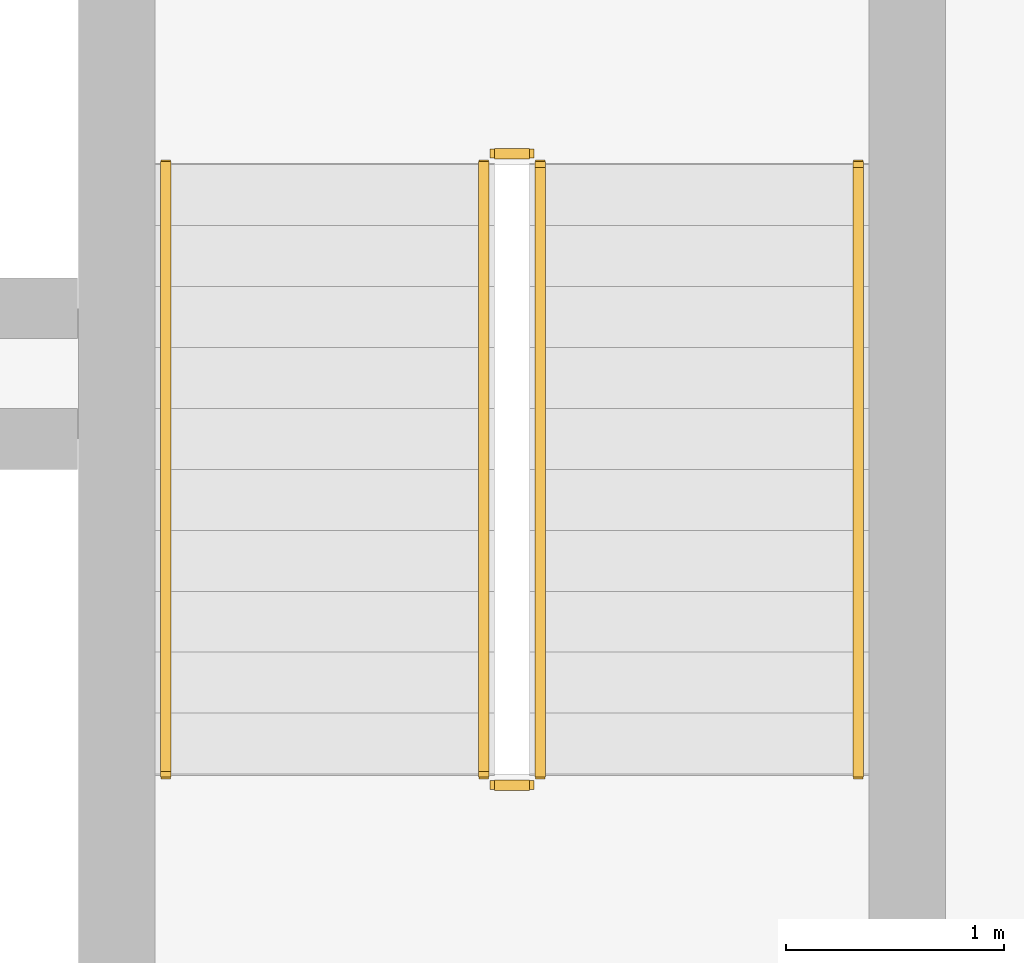
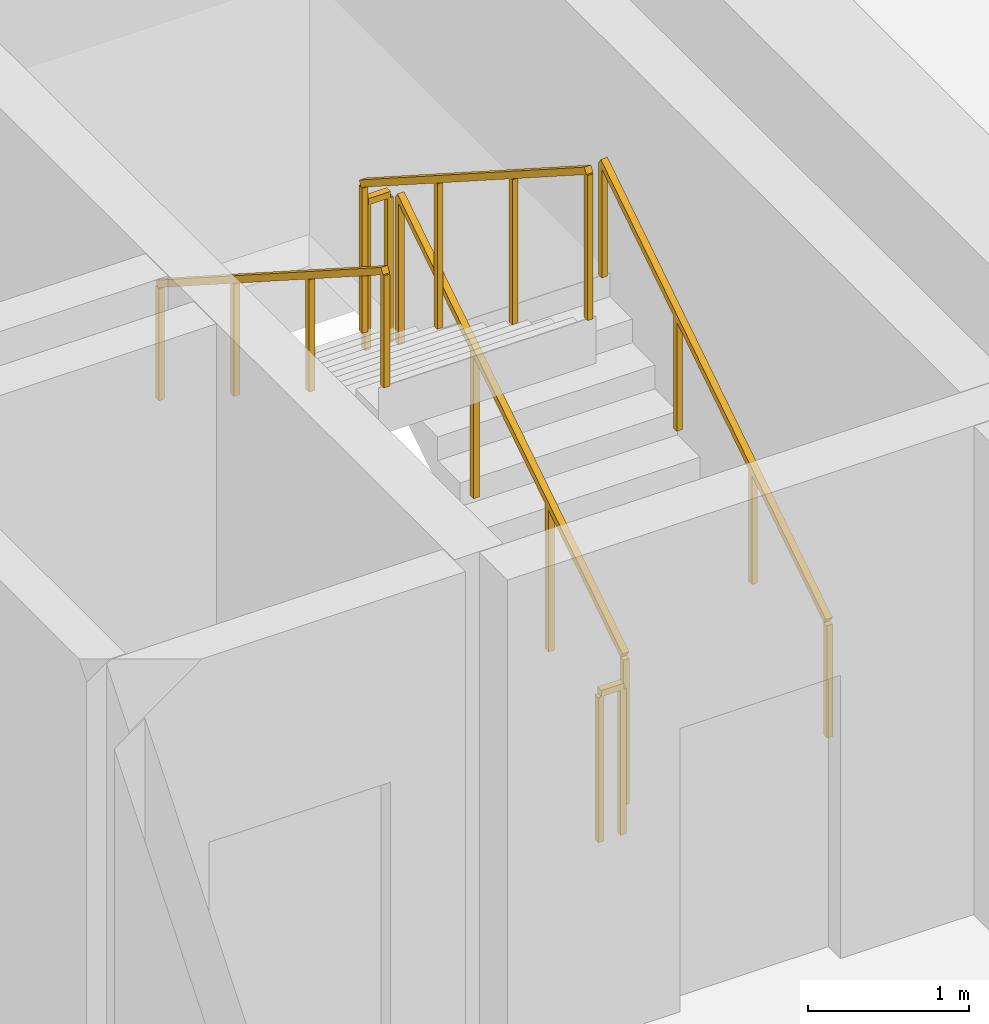
# One storey, part 11 of 11: 6 railings.
"""IFC4 building model written with IfcOpenShell, lengths in metres."""

from ifc_helpers import new_model, si_unit, direction, frame, origin, origin_2d, place, context, subcontext, project, spatial, rectangle, extrude, material, type_object, element, save


model = new_model("IFC4")

# Units and contexts
model_context = context("Model", 3, precision=1e-05, world=origin(), true_north=direction((0.0, 1.0)))
body_context = subcontext(model_context, "Body", "Model", "MODEL_VIEW")
ifc_project = project(units=[si_unit("LENGTHUNIT", "METRE"), si_unit("AREAUNIT", "SQUARE_METRE"), si_unit("VOLUMEUNIT", "CUBIC_METRE"), si_unit("PLANEANGLEUNIT", "RADIAN"), si_unit("MASSUNIT", "GRAM", prefix="KILO")], contexts=[model_context])

# Site, building, storey
site_placement = place(None, origin())
site = spatial("IfcSite", under=ifc_project, at=site_placement, CompositionType="ELEMENT")
building_placement = place(site_placement, origin())
building = spatial("IfcBuilding", under=site, at=building_placement, Name="Kaelvorn Grand Hotel", CompositionType="ELEMENT")
storey_placement = place(building_placement, frame((0.0, 0.0, 272.60009765625)))
storey = spatial("IfcBuildingStorey", under=building, at=storey_placement, Name="L67", CompositionType="ELEMENT", Elevation=272.60009765625)

# Railings
ifc_material = material(Name="Stainless Steel", Category="steel")
railing_type_1 = type_object("IfcRailingType", Name="RL-HANDRAIL-900", PredefinedType="HANDRAIL", material=ifc_material)
railing_1_placement = place(storey_placement, frame((66.550048828125, 41.760009765625, 0.179443359375)))
element("IfcRailing", 1, at=railing_1_placement, inside=storey, type_object=railing_type_1, Name="L67 ST3 stair handrail 1", PredefinedType="HANDRAIL", context=body_context, shape_type="SweptSolid", body=[
    extrude(rectangle(XDim=0.048095703125, YDim=0.048095703125, at=origin_2d()), frame((0.0, 0.0, 0.8759765625), z_axis=(0.0, 0.841809871826, 0.539774156196), x_axis=(-1.0, 0.0, 0.0)), (0.0, 0.0, 1.0), 3.326171875),
    extrude(rectangle(XDim=0.0419921875, YDim=0.0419921875, at=origin_2d()), origin(), (0.0, 0.0, 1.0), 0.851806640625),
    extrude(rectangle(XDim=0.0419921875, YDim=0.0419921875, at=origin_2d()), frame((0.0, 0.933349609375, 0.598388671875)), (0.0, 0.0, 1.0), 0.851806640625),
    extrude(rectangle(XDim=0.0419921875, YDim=0.0419921875, at=origin_2d()), frame((0.0, 1.86669921875, 1.197021484375)), (0.0, 0.0, 1.0), 0.851806640625),
    extrude(rectangle(XDim=0.0419921875, YDim=0.0419921875, at=origin_2d()), frame((0.0, 2.800048828125, 1.79541015625)), (0.0, 0.0, 1.0), 0.851806640625),
])
railing_2_placement = place(storey_placement, frame((63.3701171875, 44.56005859375, 2.154541015625)))
element("IfcRailing", 2, at=railing_2_placement, inside=storey, type_object=railing_type_1, Name="L67 ST3 stair handrail 2", PredefinedType="HANDRAIL", context=body_context, shape_type="SweptSolid", body=[
    extrude(rectangle(XDim=0.048095703125, YDim=0.048095703125, at=origin_2d()), frame((0.0, 0.0, 0.8759765625), z_axis=(0.0, -0.841809871826, 0.539774156196), x_axis=(1.0, 0.0, 0.0)), (0.0, 0.0, 1.0), 3.326171875),
    extrude(rectangle(XDim=0.0419921875, YDim=0.0419921875, at=origin_2d()), origin(), (0.0, 0.0, 1.0), 0.851806640625),
    extrude(rectangle(XDim=0.0419921875, YDim=0.0419921875, at=origin_2d()), frame((0.0, -0.933349609375, 0.598388671875)), (0.0, 0.0, 1.0), 0.851806640625),
    extrude(rectangle(XDim=0.0419921875, YDim=0.0419921875, at=origin_2d()), frame((0.0, -1.86669921875, 1.197021484375)), (0.0, 0.0, 1.0), 0.851806640625),
    extrude(rectangle(XDim=0.0419921875, YDim=0.0419921875, at=origin_2d()), frame((0.0, -2.800048828125, 1.79541015625)), (0.0, 0.0, 1.0), 0.851806640625),
])
railing_type_2 = type_object("IfcRailingType", Name="RL-STAIR-GUARD-1150", PredefinedType="BALUSTRADE", material=ifc_material)
railing_3_placement = place(storey_placement, frame((65.090087890625, 41.760009765625, 0.179443359375)))
element("IfcRailing", 3, at=railing_3_placement, inside=storey, type_object=railing_type_2, Name="L67 ST3 stair guard 1", PredefinedType="BALUSTRADE", context=body_context, shape_type="SweptSolid", body=[
    extrude(rectangle(XDim=0.048095703125, YDim=0.048095703125, at=origin_2d()), frame((0.0, 0.0, 1.1259765625), z_axis=(0.0, 0.841809871826, 0.539774156196), x_axis=(-1.0, 0.0, 0.0)), (0.0, 0.0, 1.0), 3.326171875),
    extrude(rectangle(XDim=0.0419921875, YDim=0.0419921875, at=origin_2d()), origin(), (0.0, 0.0, 1.0), 1.101806640625),
    extrude(rectangle(XDim=0.0419921875, YDim=0.0419921875, at=origin_2d()), frame((0.0, 0.933349609375, 0.598388671875)), (0.0, 0.0, 1.0), 1.101806640625),
    extrude(rectangle(XDim=0.0419921875, YDim=0.0419921875, at=origin_2d()), frame((0.0, 1.86669921875, 1.197021484375)), (0.0, 0.0, 1.0), 1.101806640625),
    extrude(rectangle(XDim=0.0419921875, YDim=0.0419921875, at=origin_2d()), frame((0.0, 2.800048828125, 1.79541015625)), (0.0, 0.0, 1.0), 1.101806640625),
])
railing_4_placement = place(storey_placement, frame((65.0400390625, 44.610107421875, 1.974853515625)))
element("IfcRailing", 4, at=railing_4_placement, inside=storey, type_object=railing_type_2, Name="L67 ST3 stair guard 2", PredefinedType="BALUSTRADE", context=body_context, shape_type="SweptSolid", body=[
    extrude(rectangle(XDim=0.048095703125, YDim=0.048095703125, at=origin_2d()), frame((0.0, 0.0, 1.1259765625), z_axis=(-1.0, 0.0, 0.0), x_axis=(0.0, -1.0, 0.0)), (0.0, 0.0, 1.0), 0.16015625),
    extrude(rectangle(XDim=0.0419921875, YDim=0.0419921875, at=origin_2d()), origin(), (0.0, 0.0, 1.0), 1.101806640625),
    extrude(rectangle(XDim=0.0419921875, YDim=0.0419921875, at=origin_2d()), frame((-0.16015625, 0.0, 0.0)), (0.0, 0.0, 1.0), 1.101806640625),
])
railing_5_placement = place(storey_placement, frame((64.830078125, 44.56005859375, 2.154541015625)))
element("IfcRailing", 5, at=railing_5_placement, inside=storey, type_object=railing_type_2, Name="L67 ST3 stair guard 3", PredefinedType="BALUSTRADE", context=body_context, shape_type="SweptSolid", body=[
    extrude(rectangle(XDim=0.048095703125, YDim=0.048095703125, at=origin_2d()), frame((0.0, 0.0, 1.1259765625), z_axis=(0.0, -0.841809871826, 0.539774156196), x_axis=(1.0, 0.0, 0.0)), (0.0, 0.0, 1.0), 3.326171875),
    extrude(rectangle(XDim=0.0419921875, YDim=0.0419921875, at=origin_2d()), origin(), (0.0, 0.0, 1.0), 1.101806640625),
    extrude(rectangle(XDim=0.0419921875, YDim=0.0419921875, at=origin_2d()), frame((0.0, -0.933349609375, 0.598388671875)), (0.0, 0.0, 1.0), 1.101806640625),
    extrude(rectangle(XDim=0.0419921875, YDim=0.0419921875, at=origin_2d()), frame((0.0, -1.86669921875, 1.197021484375)), (0.0, 0.0, 1.0), 1.101806640625),
    extrude(rectangle(XDim=0.0419921875, YDim=0.0419921875, at=origin_2d()), frame((0.0, -2.800048828125, 1.79541015625)), (0.0, 0.0, 1.0), 1.101806640625),
])
railing_6_placement = place(storey_placement, frame((65.0400390625, 41.7099609375, 0.0)))
element("IfcRailing", 6, at=railing_6_placement, inside=storey, type_object=railing_type_2, Name="L67 ST3 stair guard 4", PredefinedType="BALUSTRADE", context=body_context, shape_type="SweptSolid", body=[
    extrude(rectangle(XDim=0.048095703125, YDim=0.048095703125, at=origin_2d()), frame((0.0, 0.0, 1.1259765625), z_axis=(-1.0, 0.0, 0.0), x_axis=(0.0, -1.0, 0.0)), (0.0, 0.0, 1.0), 0.16015625),
    extrude(rectangle(XDim=0.0419921875, YDim=0.0419921875, at=origin_2d()), origin(), (0.0, 0.0, 1.0), 1.101806640625),
    extrude(rectangle(XDim=0.0419921875, YDim=0.0419921875, at=origin_2d()), frame((-0.16015625, 0.0, 0.0)), (0.0, 0.0, 1.0), 1.101806640625),
])

save(model, "model.ifc")
